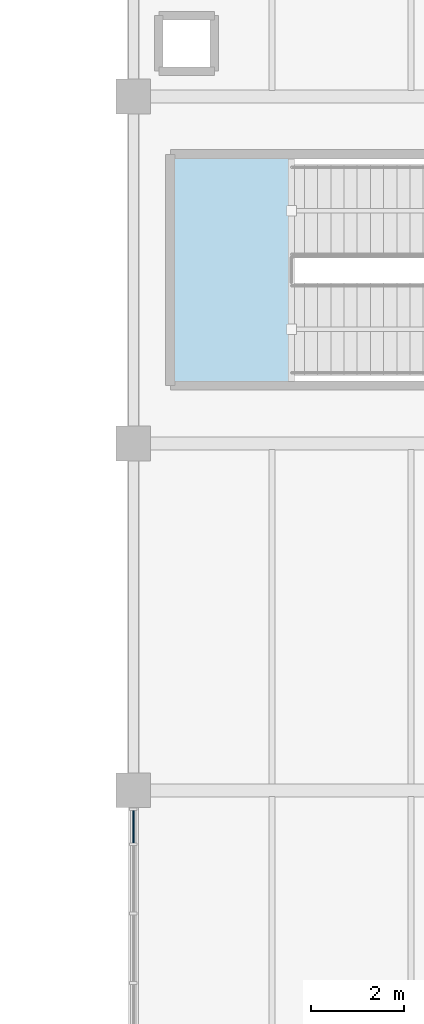
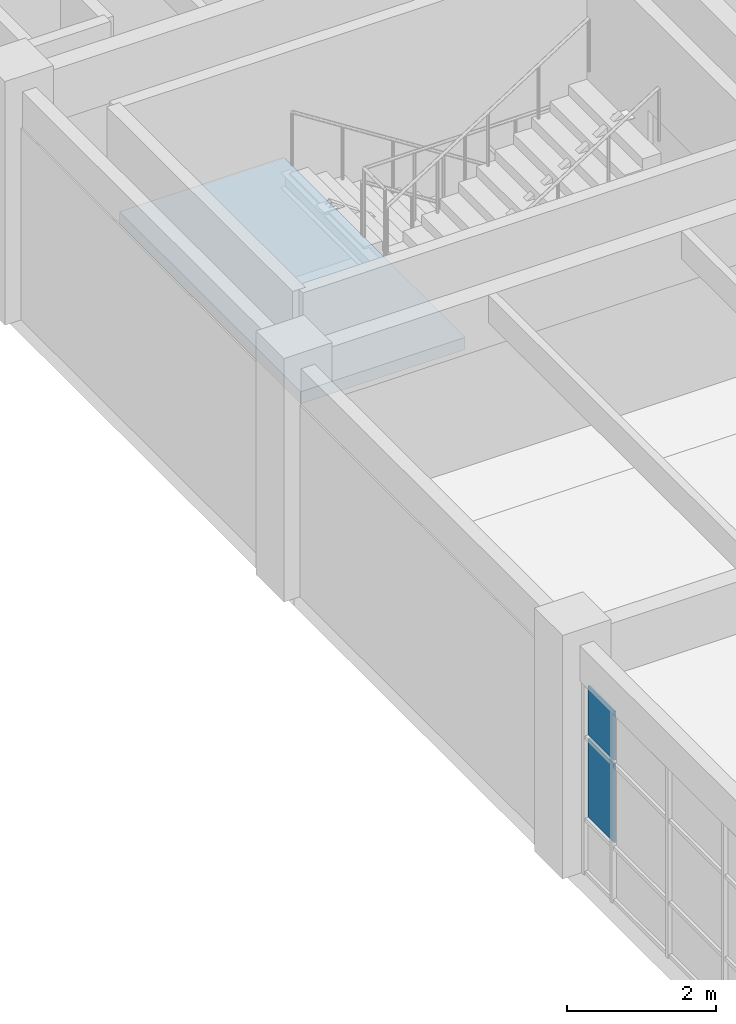
# One storey, part 47 of 76: 2 plates, 1 slab, 2 elements without a shape of their own.
"""IFC4 building model written with IfcOpenShell, lengths in metres."""

from ifc_helpers import new_model, si_unit, direction, frame, origin, origin_2d, place, context, subcontext, project, spatial, polyline, rectangle, outline, extrude, material, layer, layer_set, type_object, element, aggregate, save


model = new_model("IFC4")

# Units and contexts
model_context = context("Model", 3, precision=1e-05, world=origin(), true_north=direction((0.0, 1.0)))
body_context = subcontext(model_context, "Body", "Model", "MODEL_VIEW")
ifc_project = project(units=[si_unit("LENGTHUNIT", "METRE"), si_unit("AREAUNIT", "SQUARE_METRE"), si_unit("VOLUMEUNIT", "CUBIC_METRE"), si_unit("PLANEANGLEUNIT", "RADIAN"), si_unit("MASSUNIT", "GRAM", prefix="KILO")], contexts=[model_context])

# Site, building, storey
site_placement = place(None, origin())
site = spatial("IfcSite", under=ifc_project, at=site_placement, CompositionType="ELEMENT")
building_placement = place(site_placement, origin())
building = spatial("IfcBuilding", under=site, at=building_placement, Name="Marnridge Secondary College", CompositionType="ELEMENT")
storey_placement = place(building_placement, frame((0.0, 0.0, 4.5)))
storey = spatial("IfcBuildingStorey", under=building, at=storey_placement, Name="L01", CompositionType="ELEMENT", Elevation=4.5)

# Curtain wall, plates
ifc_material_1 = material(Name="Thermally broken aluminium and low-E glazing", Category="aluminium")
ifc_layer_1 = layer(ifc_material_1, 0.159912109375)
ifc_layer_set_1 = layer_set([ifc_layer_1], Name="CW-MOD-1500")
curtain_wall_type = type_object("IfcCurtainWallType", Name="CW-MOD-1500", PredefinedType="NOTDEFINED", material=ifc_layer_set_1)
curtain_wall_placement = place(storey_placement, origin())
curtain_wall = element("IfcCurtainWall", 1, at=curtain_wall_placement, inside=storey, type_object=curtain_wall_type, Name="Unitised curtain wall CW-L01-039", PredefinedType="NOTDEFINED")
ifc_material_2 = material(Name="Double-glazed low-E argon unit", Category="glass")
ifc_layer_2 = layer(ifc_material_2, 0.028076171875)
ifc_layer_set_2 = layer_set([ifc_layer_2], Name="CWP-GLZ28")
plate_type = type_object("IfcPlateType", Name="CWP-GLZ28", PredefinedType="CURTAIN_PANEL", material=ifc_layer_set_2)
plate_1_placement = place(storey_placement, frame((54.0, 44.21240234375, 0.929931640625), z_axis=(0.0, 0.0, 1.0), x_axis=(0.0, 1.0, 0.0)))
plate_1 = element("IfcPlate", 2, at=plate_1_placement, type_object=plate_type, Name="CW-L01-039 panel 5.2", PredefinedType="CURTAIN_PANEL", context=body_context, shape_type="SweptSolid", body=[
    extrude(rectangle(XDim=0.697021484375, YDim=0.028076171875, at=origin_2d()), origin(), (0.0, 0.0, 1.0), 1.2900390625),
])
plate_2_placement = place(storey_placement, frame((54.0, 44.21240234375, 2.2802734375), z_axis=(0.0, 0.0, 1.0), x_axis=(0.0, 1.0, 0.0)))
plate_2 = element("IfcPlate", 3, at=plate_2_placement, type_object=plate_type, Name="CW-L01-039 panel 5.3", PredefinedType="CURTAIN_PANEL", context=body_context, shape_type="SweptSolid", body=[
    extrude(rectangle(XDim=0.697021484375, YDim=0.028076171875, at=origin_2d()), origin(), (0.0, 0.0, 1.0), 0.806884765625),
])
aggregate(curtain_wall, [plate_1, plate_2])

# Stair, slab
ifc_material_3 = material(Name="Concrete C40/50 (AS 3600 N40, 40 MPa)", Category="concrete")
stair_type = type_object("IfcStairType", Name="STC1", PredefinedType="HALF_TURN_STAIR", material=ifc_material_3)
stair_placement = place(storey_placement, origin())
stair = element("IfcStair", 4, at=stair_placement, inside=storey, type_object=stair_type, Name="Fire-isolated stair ST-01-L01", PredefinedType="HALF_TURN_STAIR")
ifc_material_4 = material(Name="Concrete C40/50 (AS 3600 N40, 40 MPa)", Category="concrete")
ifc_layer_3 = layer(ifc_material_4, 0.199951171875)
ifc_layer_set_3 = layer_set([ifc_layer_3], Name="SL-LAND-200")
slab_type = type_object("IfcSlabType", Name="SL-LAND-200", PredefinedType="LANDING", material=ifc_layer_set_3)
slab_placement = place(storey_placement, frame((0.0, 0.0, 1.800048828125)))
slab = element("IfcSlab", 5, at=slab_placement, type_object=slab_type, Name="ST-01-L01 landing 1", PredefinedType="LANDING", context=body_context, shape_type="SweptSolid", body=[
    extrude(outline(polyline([(54.860107421875, 53.81005859375), (57.4150390625, 53.81005859375), (57.4150390625, 58.68994140625), (54.860107421875, 58.68994140625), (54.860107421875, 53.81005859375)])), origin(), (0.0, 0.0, 1.0), 0.199951171875),
])
aggregate(stair, [slab])

save(model, "model.ifc")
